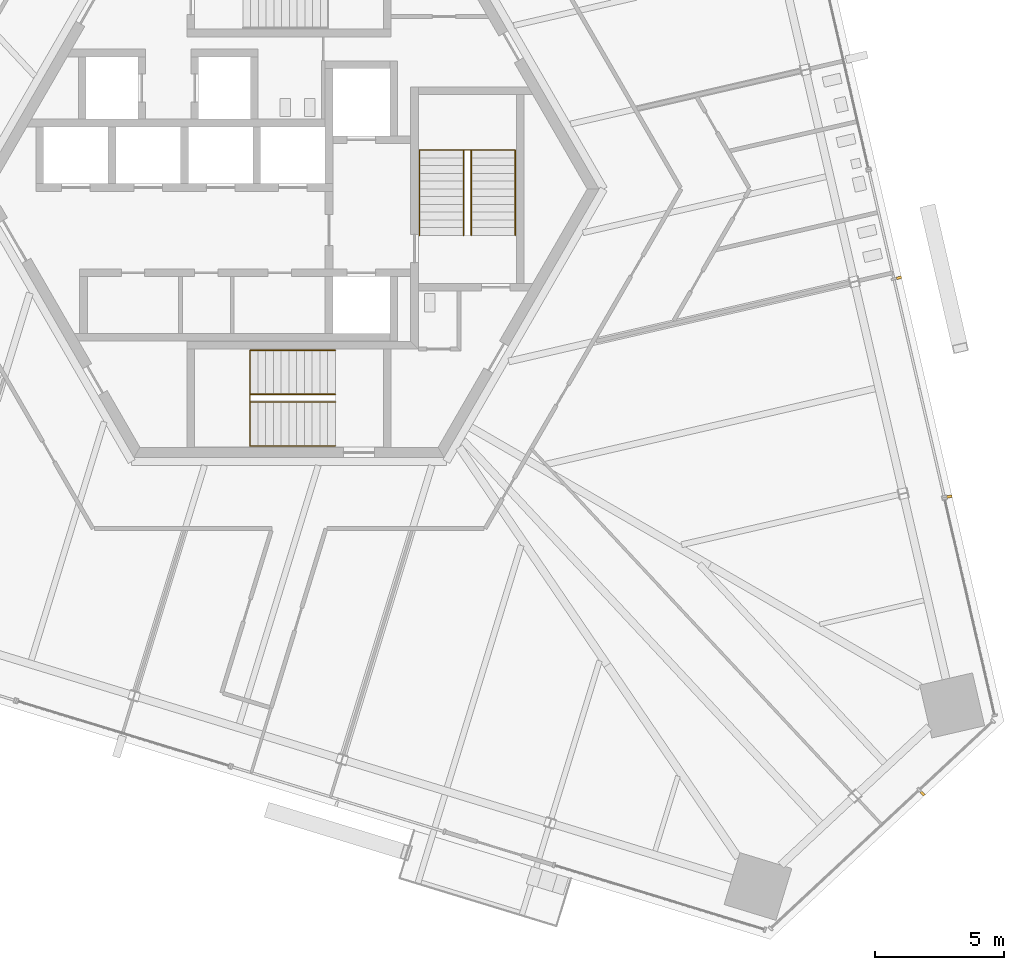
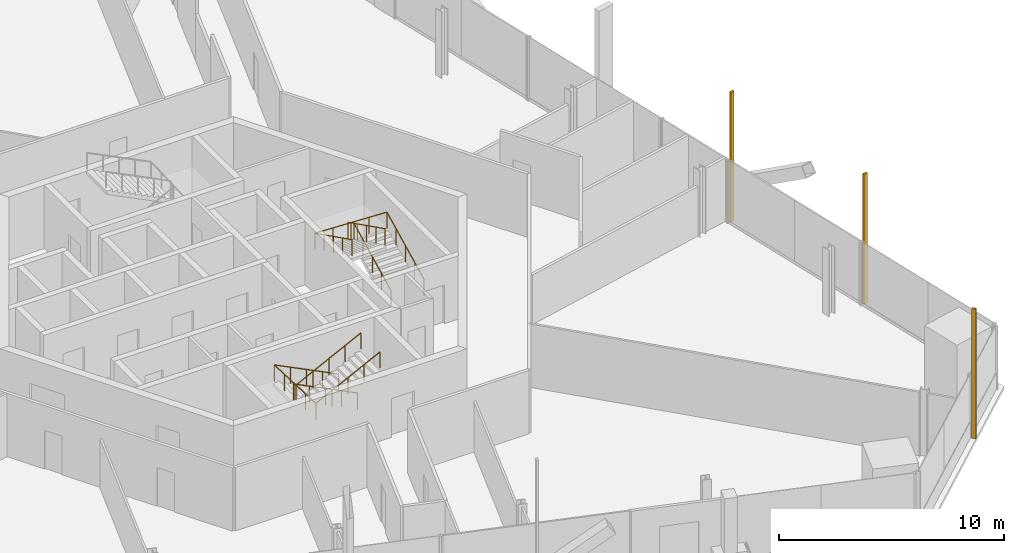
# One storey, part 16 of 21: 4 railings, 3 shading devices.
"""IFC4 building model written with IfcOpenShell, lengths in metres."""

from ifc_helpers import new_model, si_unit, direction, frame, origin, origin_2d, place, context, subcontext, project, spatial, rectangle, circle, extrude, source, transform, mapped, material, type_object, element, save


model = new_model("IFC4")

# Units and contexts
model_context = context("Model", 3, precision=1e-05, world=origin(), true_north=direction((0.0, 1.0)))
body_context = subcontext(model_context, "Body", "Model", "MODEL_VIEW")
ifc_project = project(units=[si_unit("LENGTHUNIT", "METRE"), si_unit("AREAUNIT", "SQUARE_METRE"), si_unit("VOLUMEUNIT", "CUBIC_METRE"), si_unit("PLANEANGLEUNIT", "RADIAN"), si_unit("MASSUNIT", "GRAM", prefix="KILO")], contexts=[model_context])

# Site, building, storey
site_placement = place(None, origin())
site = spatial("IfcSite", under=ifc_project, at=site_placement, CompositionType="ELEMENT")
building_placement = place(site_placement, origin())
building = spatial("IfcBuilding", under=site, at=building_placement, Name="Triune Harvest Tower", CompositionType="ELEMENT")
storey_placement = place(building_placement, frame((0.0, 0.0, 119.89990234375)))
storey = spatial("IfcBuildingStorey", under=building, at=storey_placement, Name="L30", CompositionType="ELEMENT", Elevation=119.89990234375)

# Railings
ifc_material_1 = material(Name="Stainless steel AISI 316", Category="steel")
railing_type = type_object("IfcRailingType", Name="Stair handrail", PredefinedType="HANDRAIL", material=ifc_material_1)
shared_shape_1 = source(origin(), body_context, "Body", "SweptSolid", [
    extrude(circle(Radius=0.02392578125, at=origin_2d()), frame((0.0, 0.0, 0.8759765625), z_axis=(-0.894440424912, 0.0, 0.447187126696), x_axis=(0.0, -1.0, 0.0)), (0.0, 0.0, 1.0), 3.689453125),
    extrude(circle(Radius=0.02392578125, at=origin_2d()), frame((-3.300048828125, 0.0, 2.52587890625), z_axis=(0.0, -0.999177620331, 0.040547293732), x_axis=(1.0, 0.0, 0.0)), (0.0, 0.0, 1.0), 3.702880859375),
    extrude(circle(Radius=0.02392578125, at=origin_2d()), frame((-3.300048828125, -3.699951171875, 2.67578125), z_axis=(0.894440424912, 0.0, 0.447187126696), x_axis=(0.0, 1.0, 0.0)), (0.0, 0.0, 1.0), 3.689453125),
    extrude(circle(Radius=0.02099609375, at=origin_2d()), origin(), (0.0, 0.0, 1.0), 0.851806640625),
    extrude(circle(Radius=0.02099609375, at=origin_2d()), frame((-0.824951171875, 0.0, 0.41259765625)), (0.0, 0.0, 1.0), 0.851806640625),
    extrude(circle(Radius=0.02099609375, at=origin_2d()), frame((-1.64990234375, 0.0, 0.824951171875)), (0.0, 0.0, 1.0), 0.851806640625),
    extrude(circle(Radius=0.02099609375, at=origin_2d()), frame((-2.47509765625, 0.0, 1.2373046875)), (0.0, 0.0, 1.0), 0.851806640625),
    extrude(circle(Radius=0.02099609375, at=origin_2d()), frame((-3.300048828125, 0.0, 1.64990234375)), (0.0, 0.0, 1.0), 0.851806640625),
    extrude(circle(Radius=0.02099609375, at=origin_2d()), frame((-3.300048828125, -0.925048828125, 1.6875)), (0.0, 0.0, 1.0), 0.851806640625),
    extrude(circle(Radius=0.02099609375, at=origin_2d()), frame((-3.300048828125, -1.85009765625, 1.72509765625)), (0.0, 0.0, 1.0), 0.851806640625),
    extrude(circle(Radius=0.02099609375, at=origin_2d()), frame((-3.300048828125, -2.77490234375, 1.762451171875)), (0.0, 0.0, 1.0), 0.851806640625),
    extrude(circle(Radius=0.02099609375, at=origin_2d()), frame((-3.300048828125, -3.699951171875, 1.800048828125)), (0.0, 0.0, 1.0), 0.851806640625),
    extrude(circle(Radius=0.02099609375, at=origin_2d()), frame((-2.47509765625, -3.699951171875, 2.21240234375)), (0.0, 0.0, 1.0), 0.851806640625),
    extrude(circle(Radius=0.02099609375, at=origin_2d()), frame((-1.64990234375, -3.699951171875, 2.625)), (0.0, 0.0, 1.0), 0.851806640625),
    extrude(circle(Radius=0.02099609375, at=origin_2d()), frame((-0.824951171875, -3.699951171875, 3.03759765625)), (0.0, 0.0, 1.0), 0.851806640625),
    extrude(circle(Radius=0.02099609375, at=origin_2d()), frame((0.0, -3.699951171875, 3.449951171875)), (0.0, 0.0, 1.0), 0.851806640625),
])
railing_1_placement = place(storey_placement, frame((1.7900390625, -6.239990234375, 0.150146484375)))
element("IfcRailing", 1, at=railing_1_placement, inside=storey, type_object=railing_type, Name="Exit stair south wall handrail", PredefinedType="HANDRAIL", context=body_context, shape_type="MappedRepresentation", body=[
    mapped(shared_shape_1, transform((0.0, 0.0, 0.0), scale=1.0)),
])
shared_shape_2 = source(origin(), body_context, "Body", "SweptSolid", [
    extrude(circle(Radius=0.02392578125, at=origin_2d()), frame((0.0, 0.0, 0.8759765625), z_axis=(-0.894440424912, 0.0, 0.447187126696), x_axis=(0.0, -1.0, 0.0)), (0.0, 0.0, 1.0), 3.689453125),
    extrude(circle(Radius=0.02392578125, at=origin_2d()), frame((-3.300048828125, 0.0, 2.52587890625), z_axis=(0.0, -0.894281613681, 0.447504631744), x_axis=(1.0, 0.0, 0.0)), (0.0, 0.0, 1.0), 0.33544921875),
    extrude(circle(Radius=0.02392578125, at=origin_2d()), frame((-3.300048828125, -0.300048828125, 2.67578125), z_axis=(0.894440424912, 0.0, 0.447187126696), x_axis=(0.0, 1.0, 0.0)), (0.0, 0.0, 1.0), 3.689453125),
    extrude(circle(Radius=0.02099609375, at=origin_2d()), origin(), (0.0, 0.0, 1.0), 0.851806640625),
    extrude(circle(Radius=0.02099609375, at=origin_2d()), frame((-0.824951171875, 0.0, 0.41259765625)), (0.0, 0.0, 1.0), 0.851806640625),
    extrude(circle(Radius=0.02099609375, at=origin_2d()), frame((-1.64990234375, 0.0, 0.824951171875)), (0.0, 0.0, 1.0), 0.851806640625),
    extrude(circle(Radius=0.02099609375, at=origin_2d()), frame((-2.47509765625, 0.0, 1.2373046875)), (0.0, 0.0, 1.0), 0.851806640625),
    extrude(circle(Radius=0.02099609375, at=origin_2d()), frame((-3.300048828125, 0.0, 1.64990234375)), (0.0, 0.0, 1.0), 0.851806640625),
    extrude(circle(Radius=0.02099609375, at=origin_2d()), frame((-3.300048828125, -0.300048828125, 1.800048828125)), (0.0, 0.0, 1.0), 0.851806640625),
    extrude(circle(Radius=0.02099609375, at=origin_2d()), frame((-2.47509765625, -0.300048828125, 2.21240234375)), (0.0, 0.0, 1.0), 0.851806640625),
    extrude(circle(Radius=0.02099609375, at=origin_2d()), frame((-1.64990234375, -0.300048828125, 2.625)), (0.0, 0.0, 1.0), 0.851806640625),
    extrude(circle(Radius=0.02099609375, at=origin_2d()), frame((-0.824951171875, -0.300048828125, 3.03759765625)), (0.0, 0.0, 1.0), 0.851806640625),
    extrude(circle(Radius=0.02099609375, at=origin_2d()), frame((0.0, -0.300048828125, 3.449951171875)), (0.0, 0.0, 1.0), 0.851806640625),
])
railing_2_placement = place(storey_placement, frame((1.7900390625, -7.93994140625, 0.150146484375)))
element("IfcRailing", 2, at=railing_2_placement, inside=storey, type_object=railing_type, Name="Exit stair south centre handrail", PredefinedType="HANDRAIL", context=body_context, shape_type="MappedRepresentation", body=[
    mapped(shared_shape_2, transform((0.0, 0.0, 0.0), scale=1.0)),
])
shared_shape_3 = source(origin(), body_context, "Body", "SweptSolid", [
    extrude(circle(Radius=0.02392578125, at=origin_2d()), frame((0.0, 0.0, 0.8759765625), z_axis=(0.0, 0.894440424912, 0.447187126696), x_axis=(-1.0, 0.0, 0.0)), (0.0, 0.0, 1.0), 3.689453125),
    extrude(circle(Radius=0.02392578125, at=origin_2d()), frame((0.0, 3.300048828125, 2.52587890625), z_axis=(-0.999177620331, 0.0, 0.040547293732), x_axis=(0.0, -1.0, 0.0)), (0.0, 0.0, 1.0), 3.702880859375),
    extrude(circle(Radius=0.02392578125, at=origin_2d()), frame((-3.699951171875, 3.300048828125, 2.67578125), z_axis=(0.0, -0.894440424912, 0.447187126696), x_axis=(1.0, 0.0, 0.0)), (0.0, 0.0, 1.0), 3.689453125),
    extrude(circle(Radius=0.02099609375, at=origin_2d()), origin(), (0.0, 0.0, 1.0), 0.851806640625),
    extrude(circle(Radius=0.02099609375, at=origin_2d()), frame((0.0, 0.824951171875, 0.41259765625)), (0.0, 0.0, 1.0), 0.851806640625),
    extrude(circle(Radius=0.02099609375, at=origin_2d()), frame((0.0, 1.64990234375, 0.824951171875)), (0.0, 0.0, 1.0), 0.851806640625),
    extrude(circle(Radius=0.02099609375, at=origin_2d()), frame((0.0, 2.47509765625, 1.2373046875)), (0.0, 0.0, 1.0), 0.851806640625),
    extrude(circle(Radius=0.02099609375, at=origin_2d()), frame((0.0, 3.300048828125, 1.64990234375)), (0.0, 0.0, 1.0), 0.851806640625),
    extrude(circle(Radius=0.02099609375, at=origin_2d()), frame((-0.925048828125, 3.300048828125, 1.6875)), (0.0, 0.0, 1.0), 0.851806640625),
    extrude(circle(Radius=0.02099609375, at=origin_2d()), frame((-1.85009765625, 3.300048828125, 1.72509765625)), (0.0, 0.0, 1.0), 0.851806640625),
    extrude(circle(Radius=0.02099609375, at=origin_2d()), frame((-2.77490234375, 3.300048828125, 1.762451171875)), (0.0, 0.0, 1.0), 0.851806640625),
    extrude(circle(Radius=0.02099609375, at=origin_2d()), frame((-3.699951171875, 3.300048828125, 1.800048828125)), (0.0, 0.0, 1.0), 0.851806640625),
    extrude(circle(Radius=0.02099609375, at=origin_2d()), frame((-3.699951171875, 2.47509765625, 2.21240234375)), (0.0, 0.0, 1.0), 0.851806640625),
    extrude(circle(Radius=0.02099609375, at=origin_2d()), frame((-3.699951171875, 1.64990234375, 2.625)), (0.0, 0.0, 1.0), 0.851806640625),
    extrude(circle(Radius=0.02099609375, at=origin_2d()), frame((-3.699951171875, 0.824951171875, 3.03759765625)), (0.0, 0.0, 1.0), 0.851806640625),
    extrude(circle(Radius=0.02099609375, at=origin_2d()), frame((-3.699951171875, 0.0, 3.449951171875)), (0.0, 0.0, 1.0), 0.851806640625),
])
railing_3_placement = place(storey_placement, frame((8.75, -1.7900390625, 0.150146484375)))
element("IfcRailing", 3, at=railing_3_placement, inside=storey, type_object=railing_type, Name="Exit stair east wall handrail", PredefinedType="HANDRAIL", context=body_context, shape_type="MappedRepresentation", body=[
    mapped(shared_shape_3, transform((0.0, 0.0, 0.0), scale=1.0)),
])
shared_shape_4 = source(origin(), body_context, "Body", "SweptSolid", [
    extrude(circle(Radius=0.02392578125, at=origin_2d()), frame((0.0, 0.0, 0.8759765625), z_axis=(0.0, 0.894440424912, 0.447187126696), x_axis=(-1.0, 0.0, 0.0)), (0.0, 0.0, 1.0), 3.689453125),
    extrude(circle(Radius=0.02392578125, at=origin_2d()), frame((0.0, 3.300048828125, 2.52587890625), z_axis=(-0.894281613681, 0.0, 0.447504631744), x_axis=(0.0, -1.0, 0.0)), (0.0, 0.0, 1.0), 0.33544921875),
    extrude(circle(Radius=0.02392578125, at=origin_2d()), frame((-0.300048828125, 3.300048828125, 2.67578125), z_axis=(0.0, -0.894440424912, 0.447187126696), x_axis=(1.0, 0.0, 0.0)), (0.0, 0.0, 1.0), 3.689453125),
    extrude(circle(Radius=0.02099609375, at=origin_2d()), origin(), (0.0, 0.0, 1.0), 0.851806640625),
    extrude(circle(Radius=0.02099609375, at=origin_2d()), frame((0.0, 0.824951171875, 0.41259765625)), (0.0, 0.0, 1.0), 0.851806640625),
    extrude(circle(Radius=0.02099609375, at=origin_2d()), frame((0.0, 1.64990234375, 0.824951171875)), (0.0, 0.0, 1.0), 0.851806640625),
    extrude(circle(Radius=0.02099609375, at=origin_2d()), frame((0.0, 2.47509765625, 1.2373046875)), (0.0, 0.0, 1.0), 0.851806640625),
    extrude(circle(Radius=0.02099609375, at=origin_2d()), frame((0.0, 3.300048828125, 1.64990234375)), (0.0, 0.0, 1.0), 0.851806640625),
    extrude(circle(Radius=0.02099609375, at=origin_2d()), frame((-0.300048828125, 3.300048828125, 1.800048828125)), (0.0, 0.0, 1.0), 0.851806640625),
    extrude(circle(Radius=0.02099609375, at=origin_2d()), frame((-0.300048828125, 2.47509765625, 2.21240234375)), (0.0, 0.0, 1.0), 0.851806640625),
    extrude(circle(Radius=0.02099609375, at=origin_2d()), frame((-0.300048828125, 1.64990234375, 2.625)), (0.0, 0.0, 1.0), 0.851806640625),
    extrude(circle(Radius=0.02099609375, at=origin_2d()), frame((-0.300048828125, 0.824951171875, 3.03759765625)), (0.0, 0.0, 1.0), 0.851806640625),
    extrude(circle(Radius=0.02099609375, at=origin_2d()), frame((-0.300048828125, 0.0, 3.449951171875)), (0.0, 0.0, 1.0), 0.851806640625),
])
railing_4_placement = place(storey_placement, frame((7.050048828125, -1.7900390625, 0.150146484375)))
element("IfcRailing", 4, at=railing_4_placement, inside=storey, type_object=railing_type, Name="Exit stair east centre handrail", PredefinedType="HANDRAIL", context=body_context, shape_type="MappedRepresentation", body=[
    mapped(shared_shape_4, transform((0.0, 0.0, 0.0), scale=1.0)),
])

# Shading devices
ifc_material_2 = material(Name="Aluminium bronze anodised", Category="aluminium")
shared_shape_5 = source(origin(), body_context, "Body", "SweptSolid", [
    extrude(rectangle(XDim=0.10009765625, YDim=0.199951171875, at=origin_2d()), origin(), (0.0, 0.0, 1.0), 7.0400390625),
])
for number, where, z_axis, x_axis, name in (
    (5, (25.55615234375, -11.899658203125, 0.0), (0.0, 0.0, 1.0), (-0.22495121687, 0.974370027263, 0.0), "FN-1 fin B3-F1.3 L30"),
    (6, (23.60205078125, -3.435546875, 0.0), (0.0, 0.0, 1.0), (-0.22495121687, 0.974370027263, 0.0), "FN-1 fin B3-F1.5 L30"),
    (7, (24.51806640625, -23.397216796875, 0.0), (0.0, 0.0, 1.0), (0.731349946151, 0.682002387287, 0.0), "FN-1 fin B3-F6.3 L30"),
):
    element("IfcShadingDevice", number, at=place(storey_placement, frame(where, z_axis=z_axis, x_axis=x_axis)), inside=storey, material=ifc_material_2, Name=name, ObjectType="FIN", PredefinedType="USERDEFINED", context=body_context, shape_type="MappedRepresentation", body=[
        mapped(shared_shape_5, transform((0.0, 0.0, 0.0), scale=1.0)),
    ])

save(model, "model.ifc")
